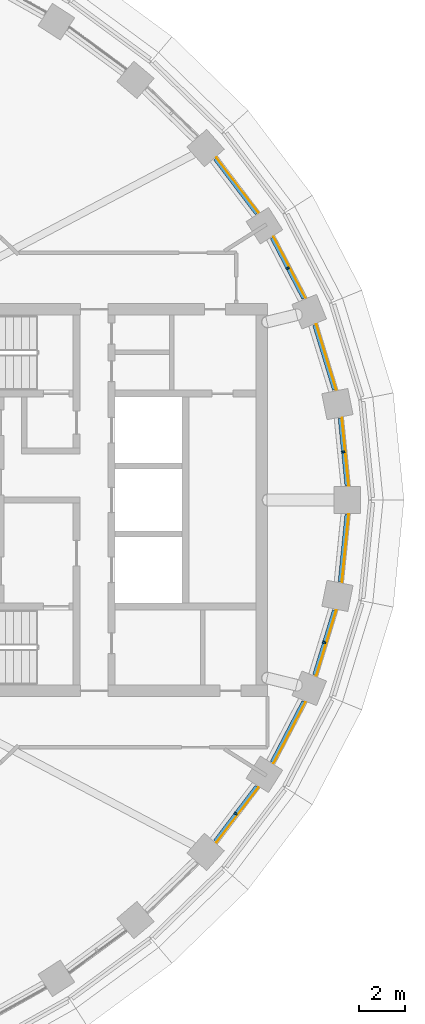
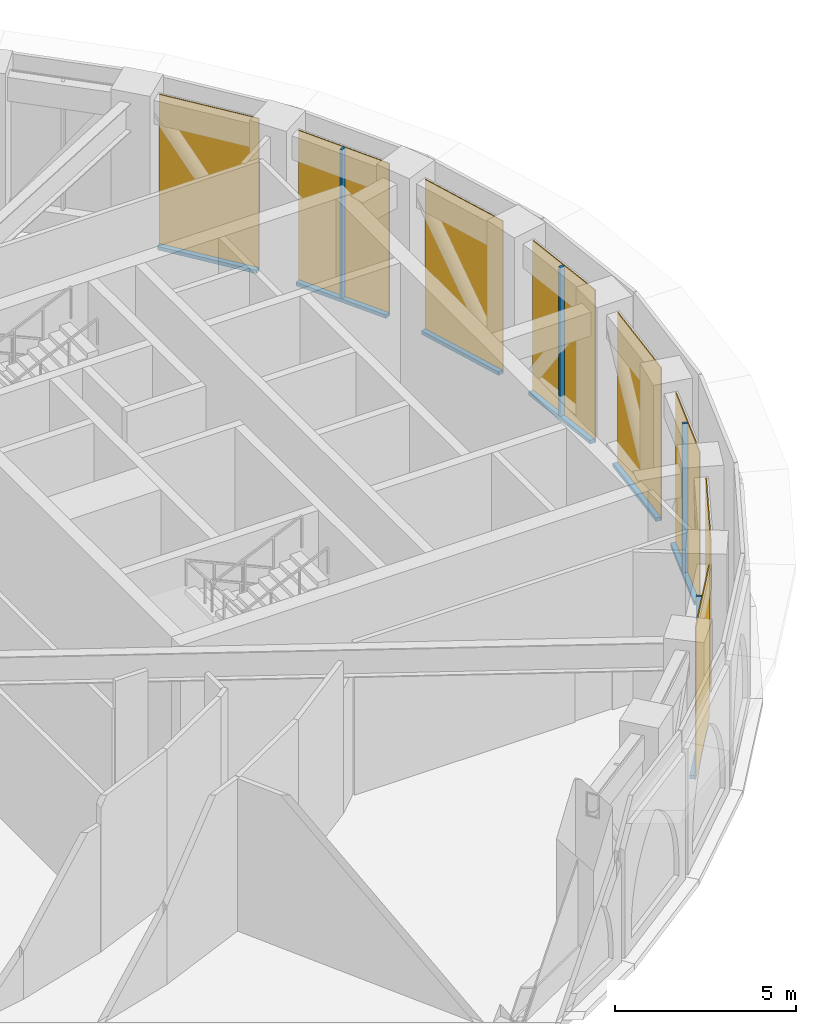
# One storey, part 19 of 25: 12 members, 8 curtain walls.
"""IFC4 building model written with IfcOpenShell, lengths in metres."""

from ifc_helpers import new_model, si_unit, direction, frame, origin, origin_2d, place, context, subcontext, project, spatial, polyline, rectangle, outline, extrude, material, layer, layer_set, material_profile, profile_set, type_object, element, aggregate, save


model = new_model("IFC4")

# Units and contexts
model_context = context("Model", 3, precision=1e-05, world=origin(), true_north=direction((0.0, 1.0)))
body_context = subcontext(model_context, "Body", "Model", "MODEL_VIEW")
ifc_project = project(units=[si_unit("LENGTHUNIT", "METRE"), si_unit("AREAUNIT", "SQUARE_METRE"), si_unit("VOLUMEUNIT", "CUBIC_METRE"), si_unit("PLANEANGLEUNIT", "RADIAN"), si_unit("MASSUNIT", "GRAM", prefix="KILO")], contexts=[model_context])

# Member
ifc_material_1 = material(Name="Aluminium 6063-T6 black anodised", Category="aluminium")
ifc_material_profile = material_profile(ifc_material_1, rectangle(XDim=0.14990234375, YDim=0.080078125, at=origin_2d()), Name="150x80")
ifc_profile_set = profile_set([ifc_material_profile], Name="Aluminium 6063-T6 black anodised")
member_type_1 = type_object("IfcMemberType", Name="ENV-MULLION-B-150", PredefinedType="MULLION", material=ifc_profile_set)
site_placement = place(None, origin())
building_placement = place(site_placement, origin())
storey_placement = place(building_placement, frame((0.0, 0.0, 198.0)))
member_1_placement = place(storey_placement, frame((32.37353515625, 10.029541015625, 0.1201171875), z_axis=(0.0, 0.0, 1.0), x_axis=(-0.88673501754, -0.462278064231, 0.0)))
member_1 = element("IfcMember", 1, at=member_1_placement, type_object=member_type_1, Name="Mullion B chord 03", PredefinedType="MULLION", context=body_context, shape_type="SweptSolid", body=[
    extrude(rectangle(XDim=0.14990234375, YDim=0.080078125, at=origin_2d()), origin(), (0.0, 0.0, 1.0), 5.02978515625),
])

member_2_placement = place(storey_placement, frame((30.12646484375, -13.576171875, 0.1201171875), z_axis=(0.0, 0.0, 1.0), x_axis=(-0.796969018776, 0.604020184358, 0.0)))
member_2 = element("IfcMember", 2, at=member_2_placement, type_object=member_type_1, Name="Mullion B chord 43", PredefinedType="MULLION", context=body_context, shape_type="SweptSolid", body=[
    extrude(rectangle(XDim=0.14990234375, YDim=0.080078125, at=origin_2d()), origin(), (0.0, 0.0, 1.0), 5.02978515625),
])

member_3_placement = place(storey_placement, frame((33.957275390625, -6.162109375, 0.1201171875), z_axis=(0.0, 0.0, 1.0), x_axis=(-0.95636637957, 0.292170066961, 0.0)))
member_3 = element("IfcMember", 3, at=member_3_placement, type_object=member_type_1, Name="Mullion B chord 45", PredefinedType="MULLION", context=body_context, shape_type="SweptSolid", body=[
    extrude(rectangle(XDim=0.14990234375, YDim=0.080078125, at=origin_2d()), origin(), (0.0, 0.0, 1.0), 5.02978515625),
])

member_4_placement = place(storey_placement, frame((34.778564453125, 2.07958984375, 0.1201171875), z_axis=(0.0, 0.0, 1.0), x_axis=(-0.994969504864, -0.100178263068, 0.0)))
member_4 = element("IfcMember", 4, at=member_4_placement, type_object=member_type_1, Name="Mullion B chord 01", PredefinedType="MULLION", context=body_context, shape_type="SweptSolid", body=[
    extrude(rectangle(XDim=0.14990234375, YDim=0.080078125, at=origin_2d()), origin(), (0.0, 0.0, 1.0), 5.02978515625),
])

ifc_material_2 = material(Name="Aluminium 6063-T6 black anodised", Category="aluminium")
member_type_2 = type_object("IfcMemberType", Name="ENV-TRANSOM-B", PredefinedType="USERDEFINED", material=ifc_material_2)
member_5_placement = place(storey_placement, origin())
member_5 = element("IfcMember", 5, at=member_5_placement, type_object=member_type_2, Name="Transom B radial 02-03", ObjectType="TRANSOM", PredefinedType="USERDEFINED", context=body_context, shape_type="SweptSolid", body=[
    extrude(outline(polyline([(34.45947265625, 4.775146484375), (33.59765625, 7.59619140625), (33.4580078125, 7.5390625), (34.3115234375, 4.745361328125), (34.45947265625, 4.775146484375)])), origin(), (0.0, 0.0, 1.0), 0.1201171875),
])

member_6_placement = place(storey_placement, origin())
member_6 = element("IfcMember", 6, at=member_6_placement, type_object=member_type_2, Name="Transom B radial 03-04", ObjectType="TRANSOM", PredefinedType="USERDEFINED", context=body_context, shape_type="SweptSolid", body=[
    extrude(outline(polyline([(33.125732421875, 8.748779296875), (31.752197265625, 11.383544921875), (31.625, 11.302978515625), (32.986328125, 8.691650390625), (33.125732421875, 8.748779296875)])), origin(), (0.0, 0.0, 1.0), 0.1201171875),
])

member_7_placement = place(storey_placement, origin())
member_7 = element("IfcMember", 7, at=member_7_placement, type_object=member_type_2, Name="Transom B radial 04-05", ObjectType="TRANSOM", PredefinedType="USERDEFINED", context=body_context, shape_type="SweptSolid", body=[
    extrude(outline(polyline([(31.08984375, 12.42919921875), (29.280029296875, 14.8173828125), (29.167236328125, 14.7177734375), (30.962646484375, 12.348876953125), (31.08984375, 12.42919921875)])), origin(), (0.0, 0.0, 1.0), 0.1201171875),
])

member_8_placement = place(storey_placement, origin())
member_8 = element("IfcMember", 8, at=member_8_placement, type_object=member_type_2, Name="Transom B radial 43-44", ObjectType="TRANSOM", PredefinedType="USERDEFINED", context=body_context, shape_type="SweptSolid", body=[
    extrude(outline(polyline([(29.280029296875, -14.8173828125), (31.08984375, -12.429443359375), (30.962646484375, -12.34912109375), (29.16748046875, -14.717529296875), (29.280029296875, -14.8173828125)])), origin(), (0.0, 0.0, 1.0), 0.1201171875),
])

member_9_placement = place(storey_placement, origin())
member_9 = element("IfcMember", 9, at=member_9_placement, type_object=member_type_2, Name="Transom B radial 44-45", ObjectType="TRANSOM", PredefinedType="USERDEFINED", context=body_context, shape_type="SweptSolid", body=[
    extrude(outline(polyline([(31.752197265625, -11.38330078125), (33.125732421875, -8.748779296875), (32.986328125, -8.69189453125), (31.625, -11.302978515625), (31.752197265625, -11.38330078125)])), origin(), (0.0, 0.0, 1.0), 0.1201171875),
])

member_10_placement = place(storey_placement, origin())
member_10 = element("IfcMember", 10, at=member_10_placement, type_object=member_type_2, Name="Transom B radial 45-46", ObjectType="TRANSOM", PredefinedType="USERDEFINED", context=body_context, shape_type="SweptSolid", body=[
    extrude(outline(polyline([(33.59765625, -7.595947265625), (34.45947265625, -4.775146484375), (34.3115234375, -4.74560546875), (33.458251953125, -7.5390625), (33.59765625, -7.595947265625)])), origin(), (0.0, 0.0, 1.0), 0.1201171875),
])

member_11_placement = place(storey_placement, origin())
member_11 = element("IfcMember", 11, at=member_11_placement, type_object=member_type_2, Name="Transom B radial 46-01", ObjectType="TRANSOM", PredefinedType="USERDEFINED", context=body_context, shape_type="SweptSolid", body=[
    extrude(outline(polyline([(34.7060546875, -3.548583984375), (35.000244140625, -0.62646484375), (34.849365234375, -0.62646484375), (34.55810546875, -3.518798828125), (34.7060546875, -3.548583984375)])), origin(), (0.0, 0.0, 1.0), 0.1201171875),
])

member_12_placement = place(storey_placement, origin())
member_12 = element("IfcMember", 12, at=member_12_placement, type_object=member_type_2, Name="Transom B radial 01-02", ObjectType="TRANSOM", PredefinedType="USERDEFINED", context=body_context, shape_type="SweptSolid", body=[
    extrude(outline(polyline([(35.000244140625, 0.62646484375), (34.7060546875, 3.548583984375), (34.55810546875, 3.51904296875), (34.849365234375, 0.62646484375), (35.000244140625, 0.62646484375)])), origin(), (0.0, 0.0, 1.0), 0.1201171875),
])

# Site, building, storey
site = spatial("IfcSite", under=ifc_project, at=site_placement, CompositionType="ELEMENT")
building = spatial("IfcBuilding", under=site, at=building_placement, Name="Noorbagh Ring Tower", CompositionType="ELEMENT")
storey = spatial("IfcBuildingStorey", under=building, at=storey_placement, Name="L46", CompositionType="ELEMENT", Elevation=198.0)

# Curtain wall
ifc_material_3 = material(Name="Glass dark tinted laminated", Category="glass")
ifc_layer = layer(ifc_material_3, 0.031982421875)
ifc_layer_set = layer_set([ifc_layer], Name="Glass dark tinted laminated")
curtain_wall_type = type_object("IfcCurtainWallType", Name="ENV-CW-B", PredefinedType="NOTDEFINED", material=ifc_layer_set)
curtain_wall_1_placement = place(storey_placement, origin())
curtain_wall_1 = element("IfcCurtainWall", 13, at=curtain_wall_1_placement, inside=storey, type_object=curtain_wall_type, Name="Curtain wall B R02", PredefinedType="NOTDEFINED", context=body_context, shape_type="SweptSolid", body=[
    extrude(outline(polyline([(34.490966796875, 4.781494140625), (33.627197265625, 7.6083984375), (33.59765625, 7.59619140625), (34.45947265625, 4.775146484375), (34.490966796875, 4.781494140625)])), origin(), (0.0, 0.0, 1.0), 5.14990234375),
])

aggregate(curtain_wall_1, [member_5])

curtain_wall_2_placement = place(storey_placement, origin())
curtain_wall_2 = element("IfcCurtainWall", 14, at=curtain_wall_2_placement, inside=storey, type_object=curtain_wall_type, Name="Curtain wall B R03", PredefinedType="NOTDEFINED", context=body_context, shape_type="SweptSolid", body=[
    extrude(outline(polyline([(33.155517578125, 8.760986328125), (31.779296875, 11.40087890625), (31.752197265625, 11.383544921875), (33.125732421875, 8.748779296875), (33.155517578125, 8.760986328125)])), origin(), (0.0, 0.0, 1.0), 5.14990234375),
])

aggregate(curtain_wall_2, [member_1, member_6])

curtain_wall_3_placement = place(storey_placement, origin())
curtain_wall_3 = element("IfcCurtainWall", 15, at=curtain_wall_3_placement, inside=storey, type_object=curtain_wall_type, Name="Curtain wall B R04", PredefinedType="NOTDEFINED", context=body_context, shape_type="SweptSolid", body=[
    extrude(outline(polyline([(31.116943359375, 12.446533203125), (29.303955078125, 14.838623046875), (29.280029296875, 14.8173828125), (31.08984375, 12.42919921875), (31.116943359375, 12.446533203125)])), origin(), (0.0, 0.0, 1.0), 5.14990234375),
])

aggregate(curtain_wall_3, [member_7])

curtain_wall_4_placement = place(storey_placement, origin())
curtain_wall_4 = element("IfcCurtainWall", 16, at=curtain_wall_4_placement, inside=storey, type_object=curtain_wall_type, Name="Curtain wall B R43", PredefinedType="NOTDEFINED", context=body_context, shape_type="SweptSolid", body=[
    extrude(outline(polyline([(29.30419921875, -14.83837890625), (31.116943359375, -12.44677734375), (31.08984375, -12.429443359375), (29.280029296875, -14.8173828125), (29.30419921875, -14.83837890625)])), origin(), (0.0, 0.0, 1.0), 5.14990234375),
])

aggregate(curtain_wall_4, [member_2, member_8])

curtain_wall_5_placement = place(storey_placement, origin())
curtain_wall_5 = element("IfcCurtainWall", 17, at=curtain_wall_5_placement, inside=storey, type_object=curtain_wall_type, Name="Curtain wall B R44", PredefinedType="NOTDEFINED", context=body_context, shape_type="SweptSolid", body=[
    extrude(outline(polyline([(31.779296875, -11.400634765625), (33.155517578125, -8.760986328125), (33.125732421875, -8.748779296875), (31.752197265625, -11.38330078125), (31.779296875, -11.400634765625)])), origin(), (0.0, 0.0, 1.0), 5.14990234375),
])

aggregate(curtain_wall_5, [member_9])

curtain_wall_6_placement = place(storey_placement, origin())
curtain_wall_6 = element("IfcCurtainWall", 18, at=curtain_wall_6_placement, inside=storey, type_object=curtain_wall_type, Name="Curtain wall B R45", PredefinedType="NOTDEFINED", context=body_context, shape_type="SweptSolid", body=[
    extrude(outline(polyline([(33.62744140625, -7.608154296875), (34.490966796875, -4.781494140625), (34.45947265625, -4.775146484375), (33.59765625, -7.595947265625), (33.62744140625, -7.608154296875)])), origin(), (0.0, 0.0, 1.0), 5.14990234375),
])

aggregate(curtain_wall_6, [member_3, member_10])

curtain_wall_7_placement = place(storey_placement, origin())
curtain_wall_7 = element("IfcCurtainWall", 19, at=curtain_wall_7_placement, inside=storey, type_object=curtain_wall_type, Name="Curtain wall B R46", PredefinedType="NOTDEFINED", context=body_context, shape_type="SweptSolid", body=[
    extrude(outline(polyline([(34.737548828125, -3.554931640625), (35.032470703125, -0.62646484375), (35.000244140625, -0.62646484375), (34.7060546875, -3.548583984375), (34.737548828125, -3.554931640625)])), origin(), (0.0, 0.0, 1.0), 5.14990234375),
])

aggregate(curtain_wall_7, [member_11])

curtain_wall_8_placement = place(storey_placement, origin())
curtain_wall_8 = element("IfcCurtainWall", 20, at=curtain_wall_8_placement, inside=storey, type_object=curtain_wall_type, Name="Curtain wall B R01", PredefinedType="NOTDEFINED", context=body_context, shape_type="SweptSolid", body=[
    extrude(outline(polyline([(35.032470703125, 0.62646484375), (34.737548828125, 3.55517578125), (34.7060546875, 3.548583984375), (35.000244140625, 0.62646484375), (35.032470703125, 0.62646484375)])), origin(), (0.0, 0.0, 1.0), 5.14990234375),
])

aggregate(curtain_wall_8, [member_4, member_12])

save(model, "model.ifc")
